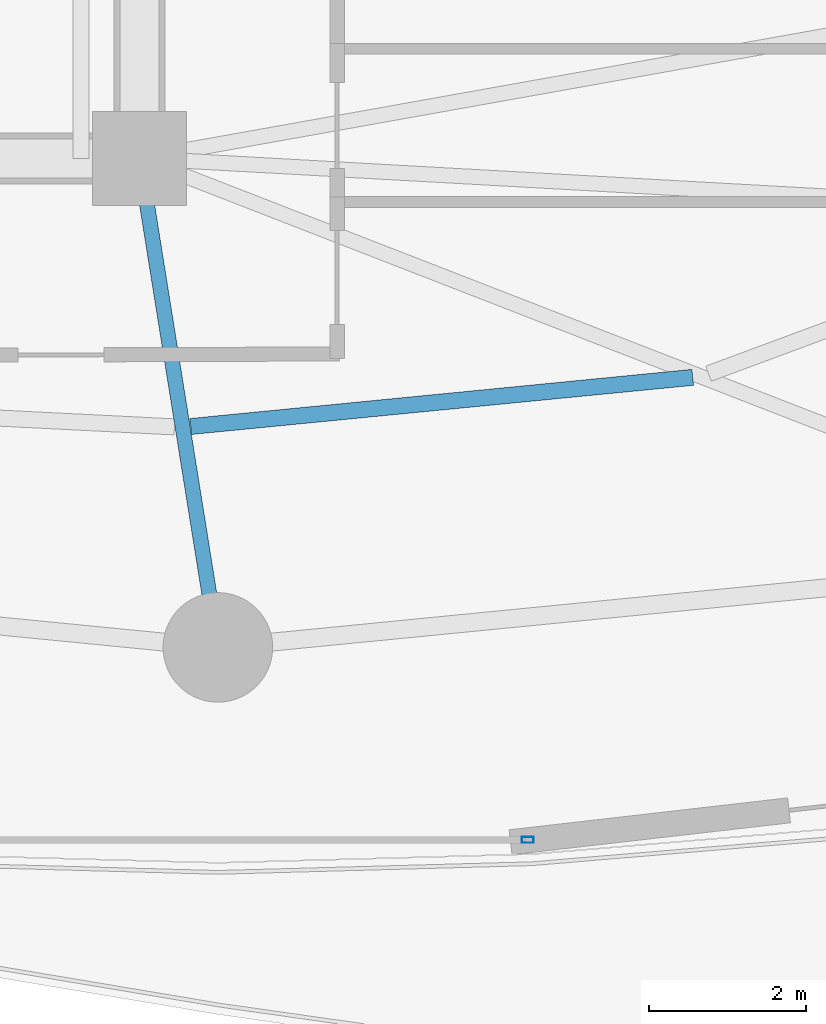
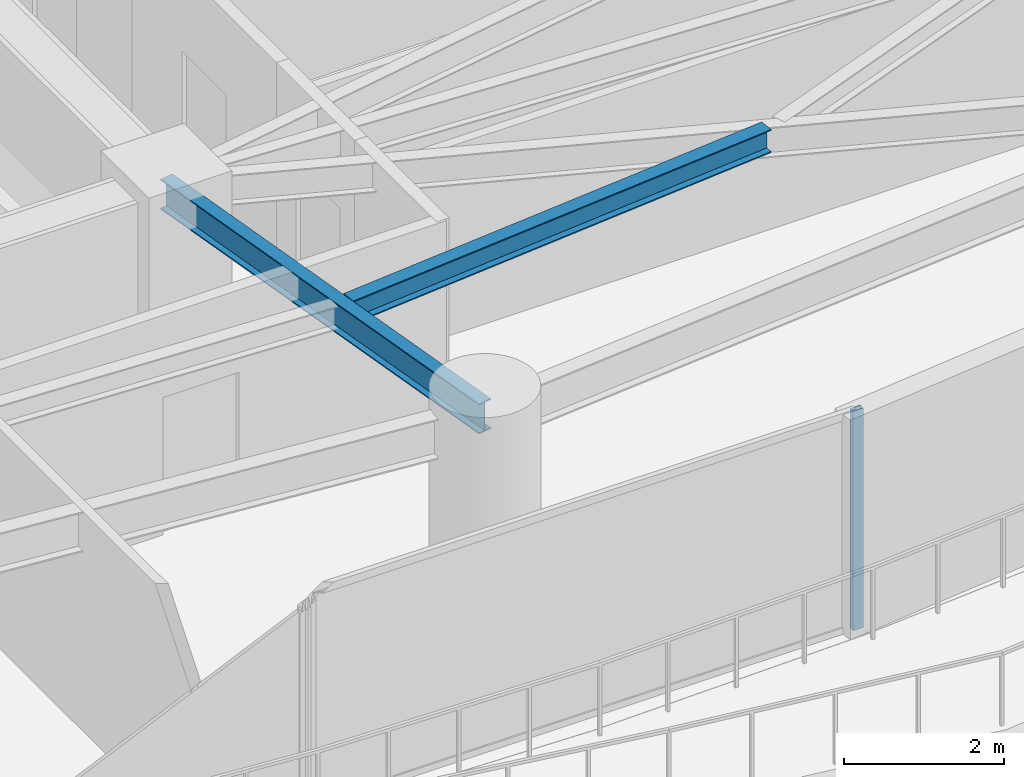
# One storey, part 10 of 34: 2 beams, 1 member, 1 element without a shape of its own.
"""IFC4 building model written with IfcOpenShell, lengths in metres."""

from ifc_helpers import new_model, si_unit, direction, frame, origin, origin_2d, place, context, subcontext, project, spatial, hollow_rectangle, i_section, extrude, material, layer, layer_set, material_profile, profile_set, type_object, element, aggregate, save


model = new_model("IFC4")

# Units and contexts
model_context = context("Model", 3, precision=1e-05, world=origin(), true_north=direction((0.0, 1.0)))
body_context = subcontext(model_context, "Body", "Model", "MODEL_VIEW")
ifc_project = project(units=[si_unit("LENGTHUNIT", "METRE"), si_unit("AREAUNIT", "SQUARE_METRE"), si_unit("VOLUMEUNIT", "CUBIC_METRE"), si_unit("PLANEANGLEUNIT", "RADIAN"), si_unit("MASSUNIT", "GRAM", prefix="KILO")], contexts=[model_context])

# Site, building, storey
site_placement = place(None, origin())
site = spatial("IfcSite", under=ifc_project, at=site_placement, CompositionType="ELEMENT")
building_placement = place(site_placement, origin())
building = spatial("IfcBuilding", under=site, at=building_placement, Name="Kazevale Care Tower and Concert Hall", CompositionType="ELEMENT")
storey_placement = place(building_placement, frame((0.0, 0.0, 67.199951171875)))
storey = spatial("IfcBuildingStorey", under=building, at=storey_placement, Name="L17", CompositionType="ELEMENT", Elevation=67.199951171875)

# Curtain wall, member
ifc_material_1 = material(Name="Aluminium 6063-T6 and Low-E Glass", Category="aluminium")
ifc_layer = layer(ifc_material_1, 0.179931640625)
ifc_layer_set = layer_set([ifc_layer], Name="Aluminium 6063-T6 and Low-E Glass")
curtain_wall_type = type_object("IfcCurtainWallType", Name="Sheltered Concave Balcony Curtain Wall CW-5", PredefinedType="NOTDEFINED", material=ifc_layer_set)
curtain_wall_placement = place(storey_placement, origin())
curtain_wall = element("IfcCurtainWall", 1, at=curtain_wall_placement, inside=storey, type_object=curtain_wall_type, Name="cw:L17:f06", PredefinedType="NOTDEFINED")
ifc_material_2 = material(Name="Aluminium 6063-T6", Category="aluminium")
ifc_material_profile_1 = material_profile(ifc_material_2, hollow_rectangle(XDim=0.074951171875, YDim=0.14990234375, WallThickness=0.00390625, at=origin_2d()), Name="ALU75x150x4")
ifc_profile_set_1 = profile_set([ifc_material_profile_1], Name="Aluminium 6063-T6")
member_type = type_object("IfcMemberType", Name="CW-5 Mullion ALU75x150x4", PredefinedType="MULLION", material=ifc_profile_set_1)
member_placement = place(storey_placement, frame((48.96044921875, 14.889892578125, 0.0), z_axis=(0.0, 0.0, 1.0), x_axis=(0.0, -1.0, 0.0)))
member = element("IfcMember", 2, at=member_placement, type_object=member_type, Name="CW-5 mullion 1", PredefinedType="MULLION", context=body_context, shape_type="SweptSolid", body=[
    extrude(hollow_rectangle(XDim=0.074951171875, YDim=0.14990234375, WallThickness=0.00390625, at=origin_2d()), origin(), (0.0, 0.0, 1.0), 3.360107421875),
])
aggregate(curtain_wall, [member])

# Beams
ifc_material_3 = material(Name="Steel ASTM A572 Gr 50", Category="steel")
ifc_material_profile_2 = material_profile(ifc_material_3, i_section(OverallWidth=0.19091796875, OverallDepth=0.4599609375, WebThickness=0.010009765625, FlangeThickness=0.01611328125, at=origin_2d()), Name="W460x82")
ifc_profile_set_2 = profile_set([ifc_material_profile_2], Name="Steel ASTM A572 Gr 50")
beam_type_1 = type_object("IfcBeamType", Name="Radial Floor Beam W460x82", PredefinedType="BEAM", material=ifc_profile_set_2)
beam_1_placement = place(storey_placement, frame((44.0, 23.60009765625, 3.130126953125), z_axis=(0.157990501107, -0.987440631917, 0.0), x_axis=(0.987440631917, 0.157990501107, 0.0)))
element("IfcBeam", 3, at=beam_1_placement, inside=storey, type_object=beam_type_1, Name="beam:L17:rad:13", PredefinedType="BEAM", context=body_context, shape_type="SweptSolid", body=[
    extrude(i_section(OverallWidth=0.19091796875, OverallDepth=0.4599609375, WebThickness=0.010009765625, FlangeThickness=0.01611328125, at=origin_2d()), origin(), (0.0, 0.0, 1.0), 6.32958984375),
])
ifc_material_profile_3 = material_profile(ifc_material_3, i_section(OverallWidth=0.205078125, OverallDepth=0.35400390625, WebThickness=0.009521484375, FlangeThickness=0.016845703125, at=origin_2d()), Name="W360x79")
ifc_profile_set_3 = profile_set([ifc_material_profile_3], Name="Steel ASTM A572 Gr 50")
beam_type_2 = type_object("IfcBeamType", Name="Secondary Floor Joist W360x79", PredefinedType="JOIST", material=ifc_profile_set_3)
beam_2_placement = place(storey_placement, frame((44.654052734375, 20.173095703125, 3.18310546875), z_axis=(0.995242075791, 0.097433108212, 0.0), x_axis=(-0.097433108212, 0.995242075791, 0.0)))
element("IfcBeam", 4, at=beam_2_placement, inside=storey, type_object=beam_type_2, Name="beam:L17:joist:13", PredefinedType="JOIST", context=body_context, shape_type="SweptSolid", body=[
    extrude(i_section(OverallWidth=0.205078125, OverallDepth=0.35400390625, WebThickness=0.009521484375, FlangeThickness=0.016845703125, at=origin_2d()), origin(), (0.0, 0.0, 1.0), 6.44482421875),
])

save(model, "model.ifc")
